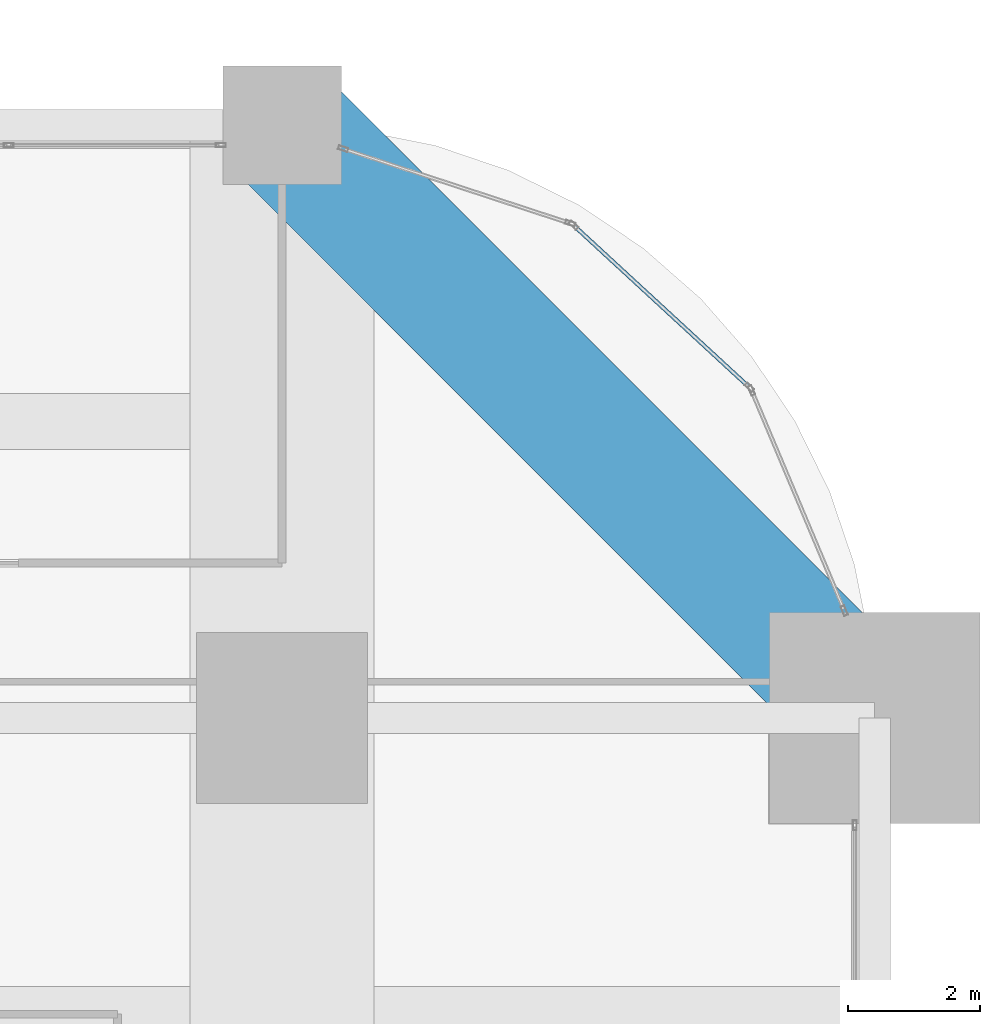
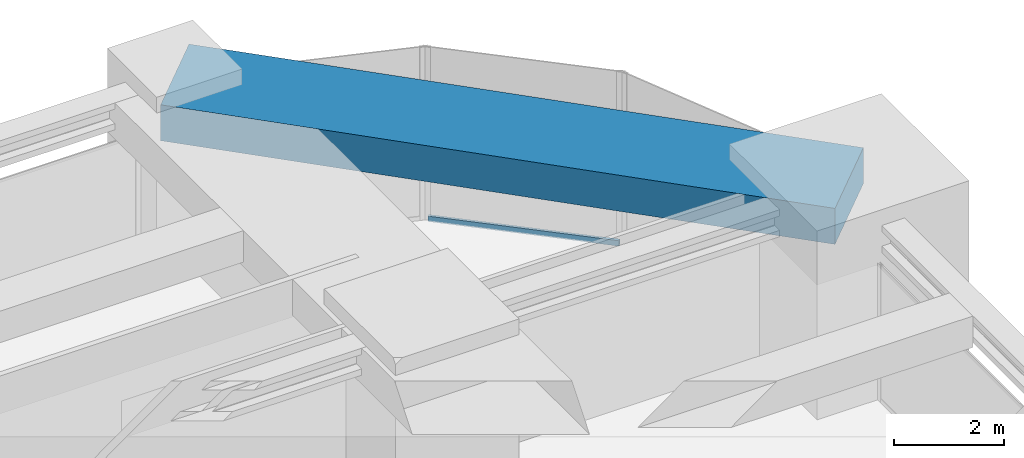
# One storey, part 39 of 45: 1 beam, 1 member, 1 element without a shape of its own.
"""IFC4 building model written with IfcOpenShell, lengths in metres."""

from ifc_helpers import new_model, si_unit, direction, frame, origin, origin_2d, place, context, subcontext, project, spatial, rectangle, hollow_rectangle, extrude, material, material_profile, profile_set, type_object, element, aggregate, save


model = new_model("IFC4")

# Units and contexts
model_context = context("Model", 3, precision=1e-05, world=origin(), true_north=direction((0.0, 1.0)))
body_context = subcontext(model_context, "Body", "Model", "MODEL_VIEW")
ifc_project = project(units=[si_unit("LENGTHUNIT", "METRE"), si_unit("AREAUNIT", "SQUARE_METRE"), si_unit("VOLUMEUNIT", "CUBIC_METRE"), si_unit("PLANEANGLEUNIT", "RADIAN"), si_unit("MASSUNIT", "GRAM", prefix="KILO")], contexts=[model_context])

# Site, building, storey
site_placement = place(None, origin())
site = spatial("IfcSite", under=ifc_project, at=site_placement, CompositionType="ELEMENT")
building_placement = place(site_placement, origin())
building = spatial("IfcBuilding", under=site, at=building_placement, Name="Zorevar Civic Tower", CompositionType="ELEMENT")
storey_placement = place(building_placement, frame((0.0, 0.0, 153.0)))
storey = spatial("IfcBuildingStorey", under=building, at=storey_placement, Name="L37", CompositionType="ELEMENT", Elevation=153.0)

# Curtain wall, member
ifc_material_1 = material(Name="Dark grey solar-control glass in black aluminium frame", Category="aluminium")
curtain_wall_type = type_object("IfcCurtainWallType", Name="Curtain wall CW3 mid zone", PredefinedType="NOTDEFINED", material=ifc_material_1)
curtain_wall_placement = place(storey_placement, origin())
curtain_wall = element("IfcCurtainWall", 1, at=curtain_wall_placement, inside=storey, type_object=curtain_wall_type, Name="CW3 L37", PredefinedType="NOTDEFINED")
ifc_material_2 = material(Name="Aluminium, black anodised", Category="aluminium")
ifc_material_profile_1 = material_profile(ifc_material_2, hollow_rectangle(XDim=0.06005859375, YDim=0.1201171875, WallThickness=0.0029296875, at=origin_2d()), Name="AL 120x60x3")
ifc_profile_set_1 = profile_set([ifc_material_profile_1], Name="Aluminium, black anodised")
member_type = type_object("IfcMemberType", Name="CW3 transom AL 120x60x3", PredefinedType="USERDEFINED", material=ifc_profile_set_1)
member_placement = place(storey_placement, frame((61.074951171875, 41.04150390625, 0.030029296875), z_axis=(-0.735277810103, 0.677765845975, 0.0), x_axis=(-0.677765845975, -0.735277810103, 0.0)))
member = element("IfcMember", 2, at=member_placement, type_object=member_type, Name="CW3 sill transom", ObjectType="TRANSOM", PredefinedType="USERDEFINED", context=body_context, shape_type="SweptSolid", body=[
    extrude(hollow_rectangle(XDim=0.06005859375, YDim=0.1201171875, WallThickness=0.0029296875, at=origin_2d()), origin(), (0.0, 0.0, 1.0), 3.570068359375),
])
aggregate(curtain_wall, [member])

# Beam
ifc_material_3 = material(Name="Concrete C50/60", Category="concrete")
ifc_material_profile_2 = material_profile(ifc_material_3, rectangle(XDim=2.0, YDim=0.800048828125, at=origin_2d()), Name="RC 2000x800")
ifc_profile_set_2 = profile_set([ifc_material_profile_2], Name="Concrete C50/60")
beam_type = type_object("IfcBeamType", Name="Edge beam RC 2000x800", PredefinedType="SPANDREL", material=ifc_profile_set_2)
beam_placement = place(storey_placement, frame((63.0, 36.0, 3.449951171875), z_axis=(-0.707106781187, 0.707106781187, 0.0), x_axis=(-0.707106781187, -0.707106781187, 0.0)))
element("IfcBeam", 3, at=beam_placement, inside=storey, type_object=beam_type, Name="Corner edge beam L38", PredefinedType="SPANDREL", context=body_context, shape_type="SweptSolid", body=[
    extrude(rectangle(XDim=2.0, YDim=0.800048828125, at=origin_2d()), origin(), (0.0, 0.0, 1.0), 12.72802734375),
])

save(model, "model.ifc")
